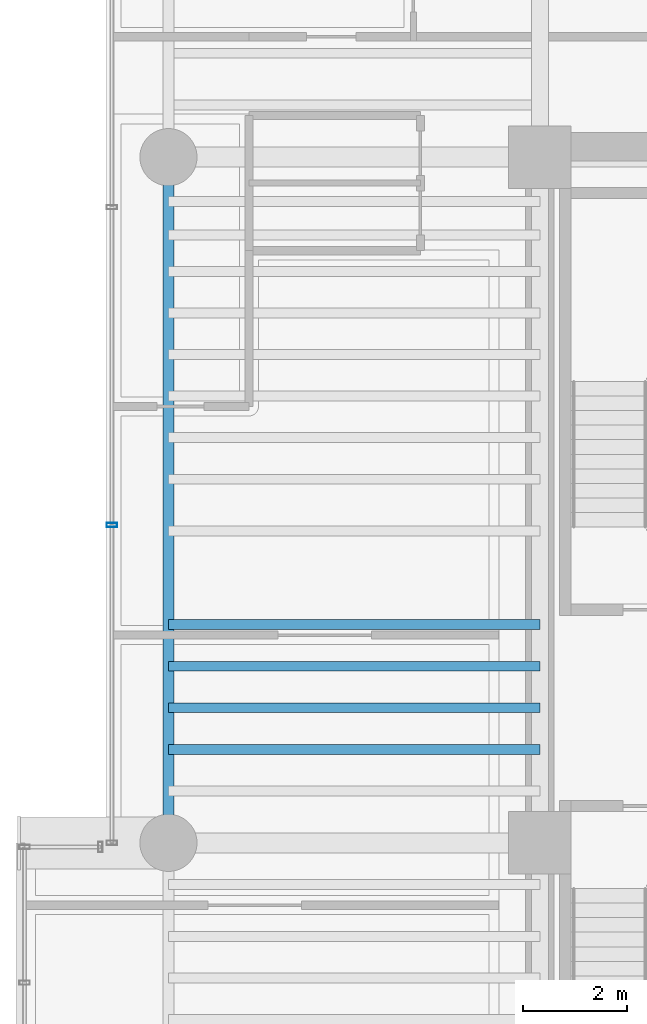
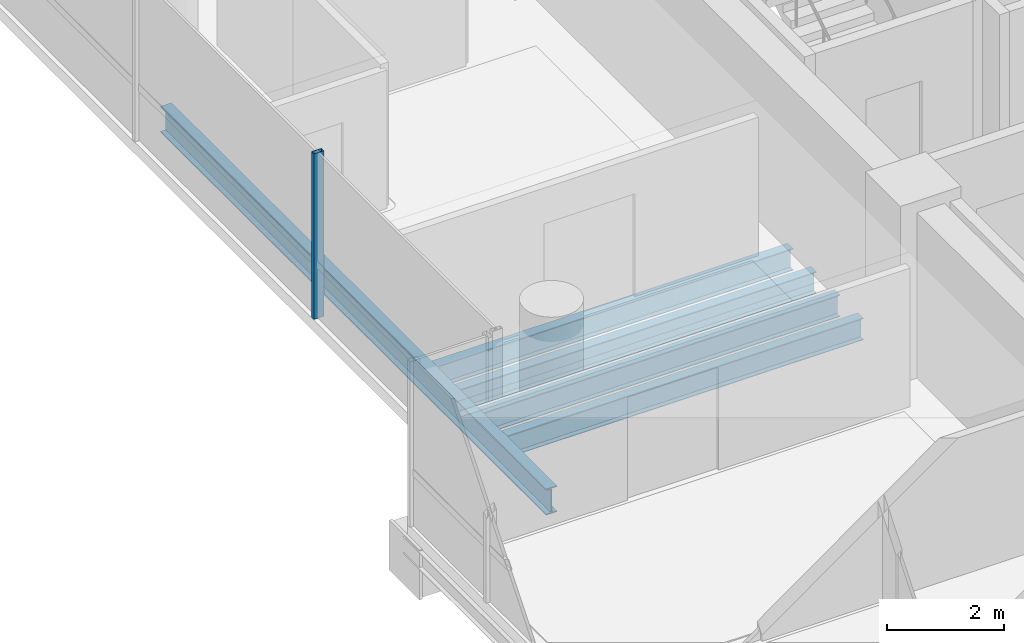
# One storey, part 8 of 34: 5 beams, 1 member, 1 element without a shape of its own.
"""IFC4 building model written with IfcOpenShell, lengths in metres."""

import ifcopenshell
import ifcopenshell.guid

model = None  # the IFC model being written
_history = None  # IfcOwnerHistory: only IFC2X3 demands one
_inside = {}  # id of a spatial element -> (the spatial element, [elements in it])
_under = {}  # id of a project, library or spatial element -> (it, [spatial elements below it])
_declared = {}  # id of a project -> (the project, [libraries it declares])
_typed = {}  # id of a type object -> (the type object, [elements of that type])
_made_of = {}  # id of a material, layer set ... -> (it, [elements and type objects made of it])


def new_model(schema):
    """Start an empty IFC model of exactly this schema.

    Asked for "IFC4X3", IfcOpenShell would pick the latest addendum, in which some entities
    have other attributes; the version numbers below select the first issue.
    IFC2X3 requires an IfcOwnerHistory on every rooted entity: one is made here for all.
    """
    global model, _history
    if schema == "IFC4X3":
        model = ifcopenshell.file(schema_version=(4, 3, 0, 0))
    else:
        model = ifcopenshell.file(schema=schema)
    _inside.clear()
    _under.clear()
    _declared.clear()
    _typed.clear()
    _made_of.clear()
    _history = None
    if model.schema == "IFC2X3":
        org = make("IfcOrganization", Name="unknown")
        user = make(
            "IfcPersonAndOrganization",
            ThePerson=make("IfcPerson", FamilyName="unknown"),
            TheOrganization=org,
        )
        app = make(
            "IfcApplication",
            ApplicationDeveloper=org,
            Version="unknown",
            ApplicationFullName="unknown",
            ApplicationIdentifier="unknown",
        )
        _history = make(
            "IfcOwnerHistory",
            OwningUser=user,
            OwningApplication=app,
            ChangeAction="ADDED",
            CreationDate=0,
        )
    return model


def make(cls, **values):
    """One entity of the class cls with the attributes given. An attribute that is None is left unset."""
    return model.create_entity(
        cls, **{name: value for name, value in values.items() if value is not None}
    )


def rooted(cls, **values):
    """An entity with a GlobalId (a new one), such as an element, a storey or a relation."""
    return make(cls, GlobalId=ifcopenshell.guid.new(), OwnerHistory=_history, **values)


def si_unit(unit_type, name, prefix=None):
    """IfcSIUnit, for example si_unit("LENGTHUNIT", "METRE", prefix="MILLI")."""
    return make("IfcSIUnit", UnitType=unit_type, Prefix=prefix, Name=name)


def assignment(units):
    """IfcUnitAssignment: the units of a project."""
    return None if units is None else make("IfcUnitAssignment", Units=units)


def point(xyz):
    """IfcCartesianPoint."""
    return None if xyz is None else make("IfcCartesianPoint", Coordinates=xyz)


def direction(xyz):
    """IfcDirection."""
    return None if xyz is None else make("IfcDirection", DirectionRatios=xyz)


def frame(location, z_axis=None, x_axis=None):
    """IfcAxis2Placement3D, a coordinate frame: its origin and axes. An axis left out is left unset."""
    return make(
        "IfcAxis2Placement3D",
        Location=point(location),
        Axis=direction(z_axis),
        RefDirection=direction(x_axis),
    )


def frame_2d(location, x_axis=None):
    """IfcAxis2Placement2D, a coordinate frame in the plane: its origin and x axis."""
    return make(
        "IfcAxis2Placement2D", Location=point(location), RefDirection=direction(x_axis)
    )


def origin():
    """The frame at (0, 0, 0) with its axes left unset."""
    return frame((0.0, 0.0, 0.0))


def origin_2d():
    """The frame at (0, 0) in the plane with its x axis left unset."""
    return frame_2d((0.0, 0.0))


def place(relative_to, where):
    """IfcLocalPlacement: puts the frame where relative to a parent placement (None: the world)."""
    return make(
        "IfcLocalPlacement", PlacementRelTo=relative_to, RelativePlacement=where
    )


def context(
    kind, dimensions, precision=None, world=None, true_north=None, identifier=None
):
    """IfcGeometricRepresentationContext, for example the 3D "Model" context."""
    return make(
        "IfcGeometricRepresentationContext",
        ContextIdentifier=identifier,
        ContextType=kind,
        CoordinateSpaceDimension=dimensions,
        Precision=precision,
        WorldCoordinateSystem=world,
        TrueNorth=true_north,
    )


def subcontext(parent, identifier, kind, view, scale=None):
    """IfcGeometricRepresentationSubContext, for example "Body" below "Model"."""
    return make(
        "IfcGeometricRepresentationSubContext",
        ContextIdentifier=identifier,
        ContextType=kind,
        ParentContext=parent,
        TargetScale=scale,
        TargetView=view,
    )


def project(units=None, contexts=None):
    """IfcProject with its units and contexts."""
    return rooted(
        "IfcProject",
        Name="project",
        RepresentationContexts=contexts,
        UnitsInContext=assignment(units),
    )


def spatial(cls, under=None, at=None, **own):
    """A site, building, storey or space (cls), placed at a placement, below another one or the project."""
    s = rooted(cls, ObjectPlacement=at, **own)
    if under is not None:
        _under.setdefault(under.id(), (under, []))[1].append(s)
    return s


def profile(cls, at=None, kind="AREA", **sizes):
    """A parametric profile (cls). Its sizes go by their IFC names, for example OverallWidth=200.0."""
    return make(cls, ProfileType=kind, Position=at, **sizes)


def hollow_rectangle(**sizes):
    """IfcRectangleHollowProfileDef."""
    return profile("IfcRectangleHollowProfileDef", **sizes)


def i_section(**sizes):
    """IfcIShapeProfileDef."""
    return profile("IfcIShapeProfileDef", **sizes)


def extrude(swept, where, along, depth):
    """IfcExtrudedAreaSolid: the profile swept, set in the frame where, extruded along a direction by depth."""
    return make(
        "IfcExtrudedAreaSolid",
        SweptArea=swept,
        Position=where,
        ExtrudedDirection=direction(along),
        Depth=depth,
    )


def shape(context_of_items, identifier, shape_type, items):
    """IfcShapeRepresentation: the items that make up one representation, for example the "Body"."""
    return make(
        "IfcShapeRepresentation",
        ContextOfItems=context_of_items,
        RepresentationIdentifier=identifier,
        RepresentationType=shape_type,
        Items=items,
    )


def source(mapping_origin, context_of_items, identifier, shape_type, items):
    """IfcRepresentationMap: a shape defined once, which mapped items show again and again."""
    return make(
        "IfcRepresentationMap",
        MappingOrigin=mapping_origin,
        MappedRepresentation=shape(context_of_items, identifier, shape_type, items),
    )


def transform(
    local_origin,
    x_axis=None,
    y_axis=None,
    z_axis=None,
    scale=None,
    scale2=None,
    scale3=None,
    uniform=True,
):
    """IfcCartesianTransformationOperator3D, or its non-uniform kind. x_axis, y_axis, z_axis: its Axis1, 2, 3."""
    if uniform:
        return make(
            "IfcCartesianTransformationOperator3D",
            Axis1=direction(x_axis),
            Axis2=direction(y_axis),
            LocalOrigin=point(local_origin),
            Scale=scale,
            Axis3=direction(z_axis),
        )
    return make(
        "IfcCartesianTransformationOperator3DnonUniform",
        Axis1=direction(x_axis),
        Axis2=direction(y_axis),
        LocalOrigin=point(local_origin),
        Scale=scale,
        Axis3=direction(z_axis),
        Scale2=scale2,
        Scale3=scale3,
    )


def mapped(mapping_source, mapping_target):
    """IfcMappedItem: shows the shape of a source again, moved by a transform."""
    return make(
        "IfcMappedItem", MappingSource=mapping_source, MappingTarget=mapping_target
    )


def material(Name=None, Category=None):
    """IfcMaterial."""
    return make("IfcMaterial", Name=Name, Category=Category)


def material_profile(
    of_material, cross_section, Name=None, Category=None, Priority=None
):
    """IfcMaterialProfile: a cross section and its material."""
    return make(
        "IfcMaterialProfile",
        Name=Name,
        Material=of_material,
        Profile=cross_section,
        Priority=Priority,
        Category=Category,
    )


def profile_set(profiles, Name=None, composite=None):
    """IfcMaterialProfileSet."""
    return make(
        "IfcMaterialProfileSet",
        Name=Name,
        MaterialProfiles=profiles,
        CompositeProfile=composite,
    )


def made_of(thing, what):
    """Note that an element or type object is made of a material, layer set ...; save() writes the relation."""
    if what is not None:
        _made_of.setdefault(what.id(), (what, []))[1].append(thing)
    return thing


def type_object(cls, material=None, **own):
    """A type object (cls), such as IfcWallType, which elements share."""
    return made_of(rooted(cls, **own), material)


def element(
    cls,
    number,
    at=None,
    inside=None,
    cuts=None,
    type_object=None,
    material=None,
    context=None,
    identifier="Body",
    shape_type=None,
    held_by="IfcProductDefinitionShape",
    body=None,
    shapes=None,
    **own,
):
    """One element of the class cls, such as IfcWall. Its Tag is "e" and its number.

    at: its placement. inside: the storey or other place that contains it. cuts: it is an
    opening in that element (IfcRelVoidsElement). A single representation is given by context,
    identifier, shape_type and body (its items); several are given by shapes. held_by: the class
    of the entity that holds the representations. save() writes the other relations.
    """
    e = rooted(cls, Tag="e%d" % number, ObjectPlacement=at, **own)
    if body is not None:
        shapes = [shape(context, identifier, shape_type, body)]
    if shapes is not None:
        e.Representation = make(held_by, Representations=shapes)
    if inside is not None:
        _inside.setdefault(inside.id(), (inside, []))[1].append(e)
    if cuts is not None:
        rooted(
            "IfcRelVoidsElement", RelatingBuildingElement=cuts, RelatedOpeningElement=e
        )
    if type_object is not None:
        _typed.setdefault(type_object.id(), (type_object, []))[1].append(e)
    return made_of(e, material)


def aggregate(whole, parts):
    """IfcRelAggregates: a whole, such as a stair, and the parts it consists of."""
    return rooted("IfcRelAggregates", RelatingObject=whole, RelatedObjects=parts)


def save(model, path):
    """Write the relations noted so far, then the file.

    IfcRelAggregates (storeys below a building ...), IfcRelContainedInSpatialStructure (elements
    in a storey), IfcRelDefinesByType, IfcRelAssociatesMaterial and IfcRelDeclares: one each for
    every whole, place, type object, material and project.
    """
    for whole, parts in _under.values():
        aggregate(whole, parts)
    for where, things in _inside.values():
        rooted(
            "IfcRelContainedInSpatialStructure",
            RelatedElements=things,
            RelatingStructure=where,
        )
    for kind, things in _typed.values():
        rooted("IfcRelDefinesByType", RelatedObjects=things, RelatingType=kind)
    for what, things in _made_of.values():
        rooted("IfcRelAssociatesMaterial", RelatedObjects=things, RelatingMaterial=what)
    for by, libraries in _declared.values():
        rooted("IfcRelDeclares", RelatingContext=by, RelatedDefinitions=libraries)
    model.write(path)


model = new_model("IFC4")

# Units and contexts
model_context = context("Model", 3, precision=1e-05, world=origin(), true_north=direction((0.0, 1.0)))
body_context = subcontext(model_context, "Body", "Model", "MODEL_VIEW")
ifc_project = project(units=[si_unit("LENGTHUNIT", "METRE"), si_unit("AREAUNIT", "SQUARE_METRE"), si_unit("VOLUMEUNIT", "CUBIC_METRE"), si_unit("PLANEANGLEUNIT", "RADIAN"), si_unit("MASSUNIT", "GRAM", prefix="KILO")], contexts=[model_context])

# Site, building, storey
site_placement = place(None, origin())
site = spatial("IfcSite", under=ifc_project, at=site_placement, CompositionType="ELEMENT")
building_placement = place(site_placement, origin())
building = spatial("IfcBuilding", under=site, at=building_placement, Name="Valdorenza Pilgrim Sanctuary Tower", CompositionType="ELEMENT")
storey_placement = place(building_placement, frame((0.0, 0.0, 164.89990234375)))
storey = spatial("IfcBuildingStorey", under=building, at=storey_placement, Name="L42", CompositionType="ELEMENT", Elevation=164.89990234375)

# Beams
ifc_material_1 = material(Name="Steel ASTM A992 Grade 50", Category="steel")
ifc_material_profile_1 = material_profile(ifc_material_1, i_section(OverallWidth=0.214111328125, OverallDepth=0.549072265625, WebThickness=0.0146484375, FlangeThickness=0.023681640625, at=origin_2d()), Name="W21X93")
ifc_profile_set_1 = profile_set([ifc_material_profile_1], Name="Steel ASTM A992 Grade 50")
beam_type_1 = type_object("IfcBeamType", Name="STR-BM-SPN-W21A", PredefinedType="SPANDREL", material=ifc_profile_set_1)
shared_shape_1 = source(origin(), body_context, "Body", "SweptSolid", [
    extrude(i_section(OverallWidth=0.214111328125, OverallDepth=0.549072265625, WebThickness=0.0146484375, FlangeThickness=0.023681640625, at=origin_2d()), origin(), (0.0, 0.0, 1.0), 13.2001953125),
])
beam_placement = place(storey_placement, frame((-29.800048828125, -2.60009765625, -0.514404296875), z_axis=(0.0, 1.0, 0.0), x_axis=(-1.0, 0.0, 0.0)))
element("IfcBeam", 1, at=beam_placement, inside=storey, type_object=beam_type_1, Name="L42 Spandrel Beam WA-W-M0N1", PredefinedType="SPANDREL", context=body_context, shape_type="MappedRepresentation", body=[
    mapped(shared_shape_1, transform((0.0, 0.0, 0.0), x_axis=(1.0, 0.0, 0.0), y_axis=(0.0, 1.0, 0.0), z_axis=(0.0, 0.0, 1.0), scale=1.0)),
])
ifc_material_profile_2 = material_profile(ifc_material_1, i_section(OverallWidth=0.19091796875, OverallDepth=0.45703125, WebThickness=0.009033203125, FlangeThickness=0.014404296875, at=origin_2d()), Name="W18X50")
ifc_profile_set_2 = profile_set([ifc_material_profile_2], Name="Steel ASTM A992 Grade 50")
beam_type_2 = type_object("IfcBeamType", Name="STR-BM-JST-W18B", PredefinedType="JOIST", material=ifc_profile_set_2)
shared_shape_2 = source(origin(), body_context, "Body", "SweptSolid", [
    extrude(i_section(OverallWidth=0.19091796875, OverallDepth=0.45703125, WebThickness=0.009033203125, FlangeThickness=0.014404296875, at=origin_2d()), origin(), (0.0, 0.0, 1.0), 7.150146484375),
])
for number, where, z_axis, x_axis, name in (
    (2, (-29.800048828125, -0.800048828125, -0.468505859375), (1.0, 0.0, 0.0), (0.0, 1.0, 0.0), "L42 Composite Floor Joist JST-WA-11"),
    (3, (-29.800048828125, 0.0, -0.468505859375), (1.0, 0.0, 0.0), (0.0, 1.0, 0.0), "L42 Composite Floor Joist JST-WA-12"),
    (4, (-29.800048828125, 0.800048828125, -0.468505859375), (1.0, 0.0, 0.0), (0.0, 1.0, 0.0), "L42 Composite Floor Joist JST-WA-13"),
    (5, (-29.800048828125, 1.60009765625, -0.468505859375), (1.0, 0.0, 0.0), (0.0, 1.0, 0.0), "L42 Composite Floor Joist JST-WA-14"),
):
    element("IfcBeam", number, at=place(storey_placement, frame(where, z_axis=z_axis, x_axis=x_axis)), inside=storey, type_object=beam_type_2, Name=name, PredefinedType="JOIST", context=body_context, shape_type="MappedRepresentation", body=[
        mapped(shared_shape_2, transform((0.0, 0.0, 0.0), x_axis=(1.0, 0.0, 0.0), y_axis=(0.0, 1.0, 0.0), z_axis=(0.0, 0.0, 1.0), scale=1.0)),
    ])

# Curtain wall, member
ifc_material_2 = material(Name="Curtain-wall IGU glazing", Category="glass")
curtain_wall_type = type_object("IfcCurtainWallType", Name="CW-SYS-02", PredefinedType="NOTDEFINED", material=ifc_material_2)
curtain_wall_placement = place(storey_placement, origin())
curtain_wall = element("IfcCurtainWall", 6, at=curtain_wall_placement, inside=storey, type_object=curtain_wall_type, Name="L42 Curtain Wall CW-L42-1-1S2", PredefinedType="NOTDEFINED")
ifc_material_3 = material(Name="Anodised aluminium AW-6060", Category="aluminium")
ifc_material_profile_3 = material_profile(ifc_material_3, hollow_rectangle(XDim=0.0849609375, YDim=0.199951171875, WallThickness=0.0048828125, at=origin_2d()), Name="ALU-M 200x85x5")
ifc_profile_set_3 = profile_set([ifc_material_profile_3], Name="Anodised aluminium AW-6060")
member_type = type_object("IfcMemberType", Name="CW-MUL-02", PredefinedType="MULLION", material=ifc_profile_set_3)
shared_shape_3 = source(origin(), body_context, "Body", "SweptSolid", [
    extrude(hollow_rectangle(XDim=0.0849609375, YDim=0.199951171875, WallThickness=0.0048828125, at=origin_2d()), origin(), (0.0, 0.0, 1.0), 3.460205078125),
])
member_placement = place(storey_placement, frame((-30.889892578125, 3.51806640625, 0.0), z_axis=(0.0, 0.0, 1.0), x_axis=(0.0, 1.0, 0.0)))
member = element("IfcMember", 7, at=member_placement, type_object=member_type, Name="CW-L42-1-1S2 Mullion 2", PredefinedType="MULLION", context=body_context, shape_type="MappedRepresentation", body=[
    mapped(shared_shape_3, transform((0.0, 0.0, 0.0), x_axis=(1.0, 0.0, 0.0), y_axis=(0.0, 1.0, 0.0), z_axis=(0.0, 0.0, 1.0), scale=1.0)),
])
aggregate(curtain_wall, [member])

save(model, "model.ifc")
